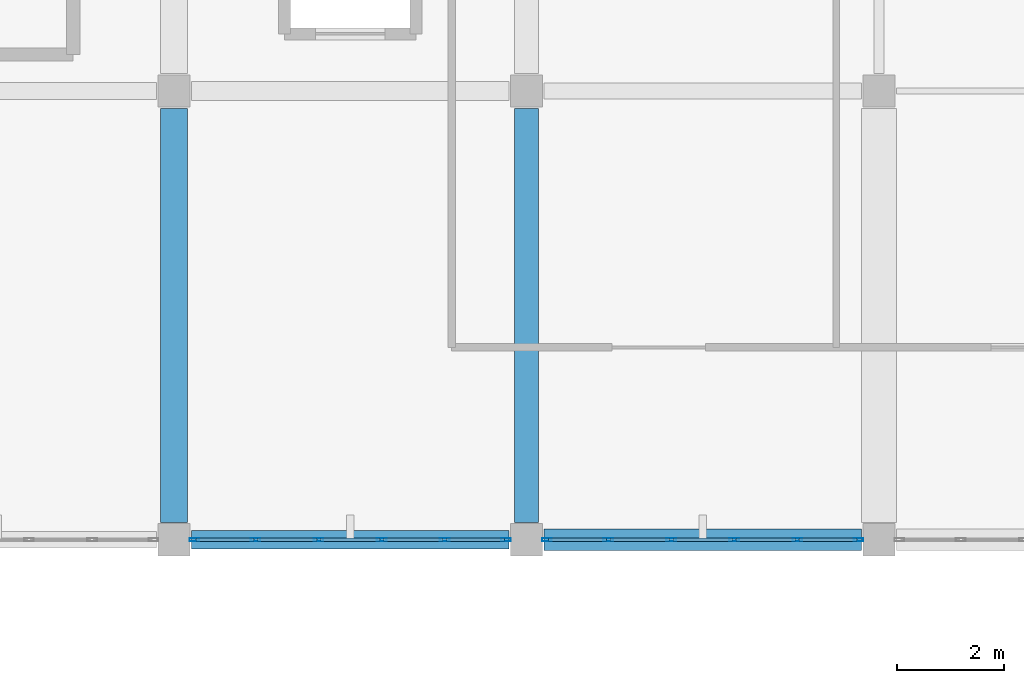
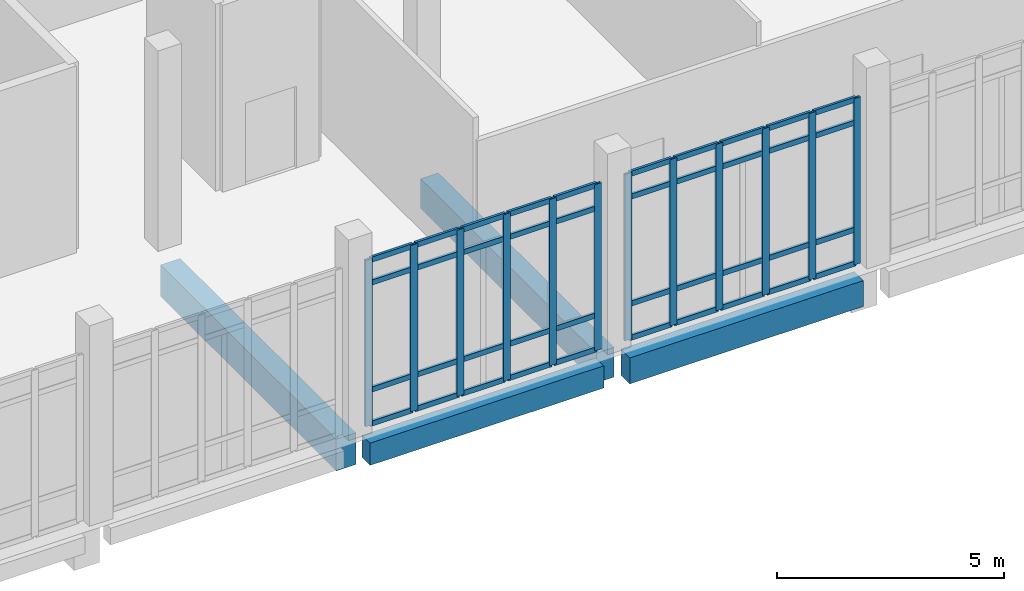
# One storey, part 65 of 110: 52 members, 4 beams, 2 elements without a shape of their own.
"""IFC4 building model written with IfcOpenShell, lengths in metres."""

from ifc_helpers import new_model, si_unit, direction, frame, origin, origin_2d, place, context, subcontext, project, spatial, rectangle, hollow_rectangle, extrude, material, material_profile, profile_set, type_object, element, aggregate, save


model = new_model("IFC4")

# Units and contexts
model_context = context("Model", 3, precision=1e-05, world=origin(), true_north=direction((0.0, 1.0)))
body_context = subcontext(model_context, "Body", "Model", "MODEL_VIEW")
ifc_project = project(units=[si_unit("LENGTHUNIT", "METRE"), si_unit("AREAUNIT", "SQUARE_METRE"), si_unit("VOLUMEUNIT", "CUBIC_METRE"), si_unit("PLANEANGLEUNIT", "RADIAN"), si_unit("MASSUNIT", "GRAM", prefix="KILO")], contexts=[model_context])

# Site, building, storey
site_placement = place(None, origin())
site = spatial("IfcSite", under=ifc_project, at=site_placement, CompositionType="ELEMENT")
building_placement = place(site_placement, origin())
building = spatial("IfcBuilding", under=site, at=building_placement, Name="Kalluvel Institute of Natural Sciences", CompositionType="ELEMENT")
storey_placement = place(building_placement, origin())
storey = spatial("IfcBuildingStorey", under=building, at=storey_placement, Name="L00", CompositionType="ELEMENT", Elevation=0.0)

# Beams
ifc_material_1 = material(Name="Concrete M40", Category="concrete")
ifc_material_profile_1 = material_profile(ifc_material_1, rectangle(XDim=0.449951171875, YDim=0.800048828125, at=origin_2d()), Name="RCB 450x800")
ifc_profile_set_1 = profile_set([ifc_material_profile_1], Name="Concrete M40")
beam_type_1 = type_object("IfcBeamType", Name="BM-RC450x800", PredefinedType="BEAM", material=ifc_profile_set_1)
beam_1_placement = place(storey_placement, frame((168.800048828125, 103.125, -0.760009765625), z_axis=(0.0, 1.0, 0.0), x_axis=(-1.0, 0.0, 0.0)))
element("IfcBeam", 1, at=beam_1_placement, inside=storey, type_object=beam_type_1, Name="L00 girder GIR-L00-NS-X1688-Y1028", PredefinedType="BEAM", context=body_context, shape_type="SweptSolid", body=[
    extrude(rectangle(XDim=0.449951171875, YDim=0.800048828125, at=origin_2d()), origin(), (0.0, 0.0, 1.0), 7.75),
])
ifc_material_2 = material(Name="Concrete M50", Category="concrete")
ifc_material_profile_2 = material_profile(ifc_material_2, rectangle(XDim=0.5, YDim=0.85009765625, at=origin_2d()), Name="RCB 500x850")
ifc_profile_set_2 = profile_set([ifc_material_profile_2], Name="Concrete M50")
beam_type_2 = type_object("IfcBeamType", Name="BM-RC500x850", PredefinedType="BEAM", material=ifc_profile_set_2)
beam_2_placement = place(storey_placement, frame((162.199951171875, 103.125, -0.784912109375), z_axis=(0.0, 1.0, 0.0), x_axis=(-1.0, 0.0, 0.0)))
element("IfcBeam", 2, at=beam_2_placement, inside=storey, type_object=beam_type_2, Name="L00 girder GIR-L00-NS-X1622-Y1028", PredefinedType="BEAM", context=body_context, shape_type="SweptSolid", body=[
    extrude(rectangle(XDim=0.5, YDim=0.85009765625, at=origin_2d()), origin(), (0.0, 0.0, 1.0), 7.75),
])

# Curtain wall, members
ifc_material_3 = material(Name="Aluminium AW-6063 T6", Category="aluminium")
curtain_wall_type = type_object("IfcCurtainWallType", Name="CW-CLN-54", PredefinedType="USERDEFINED", material=ifc_material_3)
curtain_wall_1_placement = place(storey_placement, origin())
curtain_wall_1 = element("IfcCurtainWall", 3, at=curtain_wall_1_placement, inside=storey, type_object=curtain_wall_type, Name="L00 Gothic lancet curtain wall CWA-L00-X1626-Y1028", ObjectType="UNITISED LANCET FACADE", PredefinedType="USERDEFINED")
ifc_material_profile_3 = material_profile(ifc_material_3, hollow_rectangle(XDim=0.06494140625, YDim=0.179931640625, WallThickness=0.00439453125, at=origin_2d()), Name="CWM 65x180")
ifc_profile_set_3 = profile_set([ifc_material_profile_3], Name="Aluminium AW-6063 T6")
member_type_1 = type_object("IfcMemberType", Name="CWM-65x180", PredefinedType="MULLION", material=ifc_profile_set_3)
member_1_placement = place(storey_placement, frame((162.58251953125, 102.800048828125, 0.0), z_axis=(0.0, 0.0, 1.0), x_axis=(0.0, 1.0, 0.0)))
member_1 = element("IfcMember", 4, at=member_1_placement, type_object=member_type_1, Name="CW-09 mullion 1", PredefinedType="MULLION", context=body_context, shape_type="SweptSolid", body=[
    extrude(hollow_rectangle(XDim=0.06494140625, YDim=0.179931640625, WallThickness=0.00439453125, at=origin_2d()), origin(), (0.0, 0.0, 1.0), 4.47998046875),
])
member_2_placement = place(storey_placement, frame((163.72998046875, 102.800048828125, 0.0), z_axis=(0.0, 0.0, 1.0), x_axis=(0.0, 1.0, 0.0)))
member_2 = element("IfcMember", 5, at=member_2_placement, type_object=member_type_1, Name="CW-09 mullion 2", PredefinedType="MULLION", context=body_context, shape_type="SweptSolid", body=[
    extrude(hollow_rectangle(XDim=0.06494140625, YDim=0.179931640625, WallThickness=0.00439453125, at=origin_2d()), origin(), (0.0, 0.0, 1.0), 4.47998046875),
])
member_3_placement = place(storey_placement, frame((164.909912109375, 102.800048828125, 0.0), z_axis=(0.0, 0.0, 1.0), x_axis=(0.0, 1.0, 0.0)))
member_3 = element("IfcMember", 6, at=member_3_placement, type_object=member_type_1, Name="CW-09 mullion 3", PredefinedType="MULLION", context=body_context, shape_type="SweptSolid", body=[
    extrude(hollow_rectangle(XDim=0.06494140625, YDim=0.179931640625, WallThickness=0.00439453125, at=origin_2d()), origin(), (0.0, 0.0, 1.0), 4.47998046875),
])
member_4_placement = place(storey_placement, frame((166.090087890625, 102.800048828125, 0.0), z_axis=(0.0, 0.0, 1.0), x_axis=(0.0, 1.0, 0.0)))
member_4 = element("IfcMember", 7, at=member_4_placement, type_object=member_type_1, Name="CW-09 mullion 4", PredefinedType="MULLION", context=body_context, shape_type="SweptSolid", body=[
    extrude(hollow_rectangle(XDim=0.06494140625, YDim=0.179931640625, WallThickness=0.00439453125, at=origin_2d()), origin(), (0.0, 0.0, 1.0), 4.47998046875),
])
member_5_placement = place(storey_placement, frame((167.27001953125, 102.800048828125, 0.0), z_axis=(0.0, 0.0, 1.0), x_axis=(0.0, 1.0, 0.0)))
member_5 = element("IfcMember", 8, at=member_5_placement, type_object=member_type_1, Name="CW-09 mullion 5", PredefinedType="MULLION", context=body_context, shape_type="SweptSolid", body=[
    extrude(hollow_rectangle(XDim=0.06494140625, YDim=0.179931640625, WallThickness=0.00439453125, at=origin_2d()), origin(), (0.0, 0.0, 1.0), 4.47998046875),
])
member_6_placement = place(storey_placement, frame((168.41748046875, 102.800048828125, 0.0), z_axis=(0.0, 0.0, 1.0), x_axis=(0.0, 1.0, 0.0)))
member_6 = element("IfcMember", 9, at=member_6_placement, type_object=member_type_1, Name="CW-09 mullion 6", PredefinedType="MULLION", context=body_context, shape_type="SweptSolid", body=[
    extrude(hollow_rectangle(XDim=0.06494140625, YDim=0.179931640625, WallThickness=0.00439453125, at=origin_2d()), origin(), (0.0, 0.0, 1.0), 4.47998046875),
])

curtain_wall_2_placement = place(storey_placement, origin())
curtain_wall_2 = element("IfcCurtainWall", 10, at=curtain_wall_2_placement, inside=storey, type_object=curtain_wall_type, Name="L00 Gothic lancet curtain wall CWA-L00-X1692-Y1028", ObjectType="UNITISED LANCET FACADE", PredefinedType="USERDEFINED")
member_7_placement = place(storey_placement, frame((169.1826171875, 102.800048828125, 0.0), z_axis=(0.0, 0.0, 1.0), x_axis=(0.0, 1.0, 0.0)))
member_7 = element("IfcMember", 11, at=member_7_placement, type_object=member_type_1, Name="CW-09 mullion 1", PredefinedType="MULLION", context=body_context, shape_type="SweptSolid", body=[
    extrude(hollow_rectangle(XDim=0.06494140625, YDim=0.179931640625, WallThickness=0.00439453125, at=origin_2d()), origin(), (0.0, 0.0, 1.0), 4.47998046875),
])
member_8_placement = place(storey_placement, frame((170.330078125, 102.800048828125, 0.0), z_axis=(0.0, 0.0, 1.0), x_axis=(0.0, 1.0, 0.0)))
member_8 = element("IfcMember", 12, at=member_8_placement, type_object=member_type_1, Name="CW-09 mullion 2", PredefinedType="MULLION", context=body_context, shape_type="SweptSolid", body=[
    extrude(hollow_rectangle(XDim=0.06494140625, YDim=0.179931640625, WallThickness=0.00439453125, at=origin_2d()), origin(), (0.0, 0.0, 1.0), 4.47998046875),
])
member_9_placement = place(storey_placement, frame((171.510009765625, 102.800048828125, 0.0), z_axis=(0.0, 0.0, 1.0), x_axis=(0.0, 1.0, 0.0)))
member_9 = element("IfcMember", 13, at=member_9_placement, type_object=member_type_1, Name="CW-09 mullion 3", PredefinedType="MULLION", context=body_context, shape_type="SweptSolid", body=[
    extrude(hollow_rectangle(XDim=0.06494140625, YDim=0.179931640625, WallThickness=0.00439453125, at=origin_2d()), origin(), (0.0, 0.0, 1.0), 4.47998046875),
])
member_10_placement = place(storey_placement, frame((172.68994140625, 102.800048828125, 0.0), z_axis=(0.0, 0.0, 1.0), x_axis=(0.0, 1.0, 0.0)))
member_10 = element("IfcMember", 14, at=member_10_placement, type_object=member_type_1, Name="CW-09 mullion 4", PredefinedType="MULLION", context=body_context, shape_type="SweptSolid", body=[
    extrude(hollow_rectangle(XDim=0.06494140625, YDim=0.179931640625, WallThickness=0.00439453125, at=origin_2d()), origin(), (0.0, 0.0, 1.0), 4.47998046875),
])
member_11_placement = place(storey_placement, frame((173.8701171875, 102.800048828125, 0.0), z_axis=(0.0, 0.0, 1.0), x_axis=(0.0, 1.0, 0.0)))
member_11 = element("IfcMember", 15, at=member_11_placement, type_object=member_type_1, Name="CW-09 mullion 5", PredefinedType="MULLION", context=body_context, shape_type="SweptSolid", body=[
    extrude(hollow_rectangle(XDim=0.06494140625, YDim=0.179931640625, WallThickness=0.00439453125, at=origin_2d()), origin(), (0.0, 0.0, 1.0), 4.47998046875),
])
member_12_placement = place(storey_placement, frame((175.017578125, 102.800048828125, 0.0), z_axis=(0.0, 0.0, 1.0), x_axis=(0.0, 1.0, 0.0)))
member_12 = element("IfcMember", 16, at=member_12_placement, type_object=member_type_1, Name="CW-09 mullion 6", PredefinedType="MULLION", context=body_context, shape_type="SweptSolid", body=[
    extrude(hollow_rectangle(XDim=0.06494140625, YDim=0.179931640625, WallThickness=0.00439453125, at=origin_2d()), origin(), (0.0, 0.0, 1.0), 4.47998046875),
])

# Member
ifc_material_profile_4 = material_profile(ifc_material_3, hollow_rectangle(XDim=0.06494140625, YDim=0.139892578125, WallThickness=0.00439453125, at=origin_2d()), Name="CWT 65x140")
ifc_profile_set_4 = profile_set([ifc_material_profile_4], Name="Aluminium AW-6063 T6")
member_type_2 = type_object("IfcMemberType", Name="CWT-65x140", PredefinedType="USERDEFINED", material=ifc_profile_set_4)
member_13_placement = place(storey_placement, frame((162.614990234375, 102.800048828125, 0.032470703125), z_axis=(1.0, 0.0, 0.0), x_axis=(0.0, 1.0, 0.0)))
member_13 = element("IfcMember", 17, at=member_13_placement, type_object=member_type_2, Name="CW-09 transom 1.1", ObjectType="TRANSOM", PredefinedType="USERDEFINED", context=body_context, shape_type="SweptSolid", body=[
    extrude(hollow_rectangle(XDim=0.06494140625, YDim=0.139892578125, WallThickness=0.00439453125, at=origin_2d()), origin(), (0.0, 0.0, 1.0), 1.08251953125),
])

member_14_placement = place(storey_placement, frame((162.614990234375, 102.800048828125, 0.949951171875), z_axis=(1.0, 0.0, 0.0), x_axis=(0.0, 1.0, 0.0)))
member_14 = element("IfcMember", 18, at=member_14_placement, type_object=member_type_2, Name="CW-09 transom 1.2", ObjectType="TRANSOM", PredefinedType="USERDEFINED", context=body_context, shape_type="SweptSolid", body=[
    extrude(hollow_rectangle(XDim=0.06494140625, YDim=0.139892578125, WallThickness=0.00439453125, at=origin_2d()), origin(), (0.0, 0.0, 1.0), 1.08251953125),
])

member_15_placement = place(storey_placement, frame((162.614990234375, 102.800048828125, 3.830078125), z_axis=(1.0, 0.0, 0.0), x_axis=(0.0, 1.0, 0.0)))
member_15 = element("IfcMember", 19, at=member_15_placement, type_object=member_type_2, Name="CW-09 transom 1.3", ObjectType="TRANSOM", PredefinedType="USERDEFINED", context=body_context, shape_type="SweptSolid", body=[
    extrude(hollow_rectangle(XDim=0.06494140625, YDim=0.139892578125, WallThickness=0.00439453125, at=origin_2d()), origin(), (0.0, 0.0, 1.0), 1.08251953125),
])

member_16_placement = place(storey_placement, frame((162.614990234375, 102.800048828125, 4.447509765625), z_axis=(1.0, 0.0, 0.0), x_axis=(0.0, 1.0, 0.0)))
member_16 = element("IfcMember", 20, at=member_16_placement, type_object=member_type_2, Name="CW-09 transom 1.4", ObjectType="TRANSOM", PredefinedType="USERDEFINED", context=body_context, shape_type="SweptSolid", body=[
    extrude(hollow_rectangle(XDim=0.06494140625, YDim=0.139892578125, WallThickness=0.00439453125, at=origin_2d()), origin(), (0.0, 0.0, 1.0), 1.08251953125),
])

member_17_placement = place(storey_placement, frame((163.762451171875, 102.800048828125, 0.032470703125), z_axis=(1.0, 0.0, 0.0), x_axis=(0.0, 1.0, 0.0)))
member_17 = element("IfcMember", 21, at=member_17_placement, type_object=member_type_2, Name="CW-09 transom 2.1", ObjectType="TRANSOM", PredefinedType="USERDEFINED", context=body_context, shape_type="SweptSolid", body=[
    extrude(hollow_rectangle(XDim=0.06494140625, YDim=0.139892578125, WallThickness=0.00439453125, at=origin_2d()), origin(), (0.0, 0.0, 1.0), 1.114990234375),
])

member_18_placement = place(storey_placement, frame((163.762451171875, 102.800048828125, 0.949951171875), z_axis=(1.0, 0.0, 0.0), x_axis=(0.0, 1.0, 0.0)))
member_18 = element("IfcMember", 22, at=member_18_placement, type_object=member_type_2, Name="CW-09 transom 2.2", ObjectType="TRANSOM", PredefinedType="USERDEFINED", context=body_context, shape_type="SweptSolid", body=[
    extrude(hollow_rectangle(XDim=0.06494140625, YDim=0.139892578125, WallThickness=0.00439453125, at=origin_2d()), origin(), (0.0, 0.0, 1.0), 1.114990234375),
])

member_19_placement = place(storey_placement, frame((163.762451171875, 102.800048828125, 3.830078125), z_axis=(1.0, 0.0, 0.0), x_axis=(0.0, 1.0, 0.0)))
member_19 = element("IfcMember", 23, at=member_19_placement, type_object=member_type_2, Name="CW-09 transom 2.3", ObjectType="TRANSOM", PredefinedType="USERDEFINED", context=body_context, shape_type="SweptSolid", body=[
    extrude(hollow_rectangle(XDim=0.06494140625, YDim=0.139892578125, WallThickness=0.00439453125, at=origin_2d()), origin(), (0.0, 0.0, 1.0), 1.114990234375),
])

member_20_placement = place(storey_placement, frame((163.762451171875, 102.800048828125, 4.447509765625), z_axis=(1.0, 0.0, 0.0), x_axis=(0.0, 1.0, 0.0)))
member_20 = element("IfcMember", 24, at=member_20_placement, type_object=member_type_2, Name="CW-09 transom 2.4", ObjectType="TRANSOM", PredefinedType="USERDEFINED", context=body_context, shape_type="SweptSolid", body=[
    extrude(hollow_rectangle(XDim=0.06494140625, YDim=0.139892578125, WallThickness=0.00439453125, at=origin_2d()), origin(), (0.0, 0.0, 1.0), 1.114990234375),
])

member_21_placement = place(storey_placement, frame((164.9423828125, 102.800048828125, 0.032470703125), z_axis=(1.0, 0.0, 0.0), x_axis=(0.0, 1.0, 0.0)))
member_21 = element("IfcMember", 25, at=member_21_placement, type_object=member_type_2, Name="CW-09 transom 3.1", ObjectType="TRANSOM", PredefinedType="USERDEFINED", context=body_context, shape_type="SweptSolid", body=[
    extrude(hollow_rectangle(XDim=0.06494140625, YDim=0.139892578125, WallThickness=0.00439453125, at=origin_2d()), origin(), (0.0, 0.0, 1.0), 1.115234375),
])

member_22_placement = place(storey_placement, frame((164.9423828125, 102.800048828125, 0.949951171875), z_axis=(1.0, 0.0, 0.0), x_axis=(0.0, 1.0, 0.0)))
member_22 = element("IfcMember", 26, at=member_22_placement, type_object=member_type_2, Name="CW-09 transom 3.2", ObjectType="TRANSOM", PredefinedType="USERDEFINED", context=body_context, shape_type="SweptSolid", body=[
    extrude(hollow_rectangle(XDim=0.06494140625, YDim=0.139892578125, WallThickness=0.00439453125, at=origin_2d()), origin(), (0.0, 0.0, 1.0), 1.115234375),
])

member_23_placement = place(storey_placement, frame((164.9423828125, 102.800048828125, 3.830078125), z_axis=(1.0, 0.0, 0.0), x_axis=(0.0, 1.0, 0.0)))
member_23 = element("IfcMember", 27, at=member_23_placement, type_object=member_type_2, Name="CW-09 transom 3.3", ObjectType="TRANSOM", PredefinedType="USERDEFINED", context=body_context, shape_type="SweptSolid", body=[
    extrude(hollow_rectangle(XDim=0.06494140625, YDim=0.139892578125, WallThickness=0.00439453125, at=origin_2d()), origin(), (0.0, 0.0, 1.0), 1.115234375),
])

member_24_placement = place(storey_placement, frame((164.9423828125, 102.800048828125, 4.447509765625), z_axis=(1.0, 0.0, 0.0), x_axis=(0.0, 1.0, 0.0)))
member_24 = element("IfcMember", 28, at=member_24_placement, type_object=member_type_2, Name="CW-09 transom 3.4", ObjectType="TRANSOM", PredefinedType="USERDEFINED", context=body_context, shape_type="SweptSolid", body=[
    extrude(hollow_rectangle(XDim=0.06494140625, YDim=0.139892578125, WallThickness=0.00439453125, at=origin_2d()), origin(), (0.0, 0.0, 1.0), 1.115234375),
])

member_25_placement = place(storey_placement, frame((166.12255859375, 102.800048828125, 0.032470703125), z_axis=(1.0, 0.0, 0.0), x_axis=(0.0, 1.0, 0.0)))
member_25 = element("IfcMember", 29, at=member_25_placement, type_object=member_type_2, Name="CW-09 transom 4.1", ObjectType="TRANSOM", PredefinedType="USERDEFINED", context=body_context, shape_type="SweptSolid", body=[
    extrude(hollow_rectangle(XDim=0.06494140625, YDim=0.139892578125, WallThickness=0.00439453125, at=origin_2d()), origin(), (0.0, 0.0, 1.0), 1.114990234375),
])

member_26_placement = place(storey_placement, frame((166.12255859375, 102.800048828125, 0.949951171875), z_axis=(1.0, 0.0, 0.0), x_axis=(0.0, 1.0, 0.0)))
member_26 = element("IfcMember", 30, at=member_26_placement, type_object=member_type_2, Name="CW-09 transom 4.2", ObjectType="TRANSOM", PredefinedType="USERDEFINED", context=body_context, shape_type="SweptSolid", body=[
    extrude(hollow_rectangle(XDim=0.06494140625, YDim=0.139892578125, WallThickness=0.00439453125, at=origin_2d()), origin(), (0.0, 0.0, 1.0), 1.114990234375),
])

member_27_placement = place(storey_placement, frame((166.12255859375, 102.800048828125, 3.830078125), z_axis=(1.0, 0.0, 0.0), x_axis=(0.0, 1.0, 0.0)))
member_27 = element("IfcMember", 31, at=member_27_placement, type_object=member_type_2, Name="CW-09 transom 4.3", ObjectType="TRANSOM", PredefinedType="USERDEFINED", context=body_context, shape_type="SweptSolid", body=[
    extrude(hollow_rectangle(XDim=0.06494140625, YDim=0.139892578125, WallThickness=0.00439453125, at=origin_2d()), origin(), (0.0, 0.0, 1.0), 1.114990234375),
])

member_28_placement = place(storey_placement, frame((166.12255859375, 102.800048828125, 4.447509765625), z_axis=(1.0, 0.0, 0.0), x_axis=(0.0, 1.0, 0.0)))
member_28 = element("IfcMember", 32, at=member_28_placement, type_object=member_type_2, Name="CW-09 transom 4.4", ObjectType="TRANSOM", PredefinedType="USERDEFINED", context=body_context, shape_type="SweptSolid", body=[
    extrude(hollow_rectangle(XDim=0.06494140625, YDim=0.139892578125, WallThickness=0.00439453125, at=origin_2d()), origin(), (0.0, 0.0, 1.0), 1.114990234375),
])

member_29_placement = place(storey_placement, frame((167.302490234375, 102.800048828125, 0.032470703125), z_axis=(1.0, 0.0, 0.0), x_axis=(0.0, 1.0, 0.0)))
member_29 = element("IfcMember", 33, at=member_29_placement, type_object=member_type_2, Name="CW-09 transom 5.1", ObjectType="TRANSOM", PredefinedType="USERDEFINED", context=body_context, shape_type="SweptSolid", body=[
    extrude(hollow_rectangle(XDim=0.06494140625, YDim=0.139892578125, WallThickness=0.00439453125, at=origin_2d()), origin(), (0.0, 0.0, 1.0), 1.08251953125),
])

member_30_placement = place(storey_placement, frame((167.302490234375, 102.800048828125, 0.949951171875), z_axis=(1.0, 0.0, 0.0), x_axis=(0.0, 1.0, 0.0)))
member_30 = element("IfcMember", 34, at=member_30_placement, type_object=member_type_2, Name="CW-09 transom 5.2", ObjectType="TRANSOM", PredefinedType="USERDEFINED", context=body_context, shape_type="SweptSolid", body=[
    extrude(hollow_rectangle(XDim=0.06494140625, YDim=0.139892578125, WallThickness=0.00439453125, at=origin_2d()), origin(), (0.0, 0.0, 1.0), 1.08251953125),
])

member_31_placement = place(storey_placement, frame((167.302490234375, 102.800048828125, 3.830078125), z_axis=(1.0, 0.0, 0.0), x_axis=(0.0, 1.0, 0.0)))
member_31 = element("IfcMember", 35, at=member_31_placement, type_object=member_type_2, Name="CW-09 transom 5.3", ObjectType="TRANSOM", PredefinedType="USERDEFINED", context=body_context, shape_type="SweptSolid", body=[
    extrude(hollow_rectangle(XDim=0.06494140625, YDim=0.139892578125, WallThickness=0.00439453125, at=origin_2d()), origin(), (0.0, 0.0, 1.0), 1.08251953125),
])

member_32_placement = place(storey_placement, frame((167.302490234375, 102.800048828125, 4.447509765625), z_axis=(1.0, 0.0, 0.0), x_axis=(0.0, 1.0, 0.0)))
member_32 = element("IfcMember", 36, at=member_32_placement, type_object=member_type_2, Name="CW-09 transom 5.4", ObjectType="TRANSOM", PredefinedType="USERDEFINED", context=body_context, shape_type="SweptSolid", body=[
    extrude(hollow_rectangle(XDim=0.06494140625, YDim=0.139892578125, WallThickness=0.00439453125, at=origin_2d()), origin(), (0.0, 0.0, 1.0), 1.08251953125),
])

aggregate(curtain_wall_1, [member_1, member_2, member_3, member_4, member_5, member_6, member_13, member_14, member_15, member_16, member_17, member_18, member_19, member_20, member_21, member_22, member_23, member_24, member_25, member_26, member_27, member_28, member_29, member_30, member_31, member_32])

member_33_placement = place(storey_placement, frame((169.215087890625, 102.800048828125, 0.032470703125), z_axis=(1.0, 0.0, 0.0), x_axis=(0.0, 1.0, 0.0)))
member_33 = element("IfcMember", 37, at=member_33_placement, type_object=member_type_2, Name="CW-09 transom 1.1", ObjectType="TRANSOM", PredefinedType="USERDEFINED", context=body_context, shape_type="SweptSolid", body=[
    extrude(hollow_rectangle(XDim=0.06494140625, YDim=0.139892578125, WallThickness=0.00439453125, at=origin_2d()), origin(), (0.0, 0.0, 1.0), 1.08251953125),
])

member_34_placement = place(storey_placement, frame((169.215087890625, 102.800048828125, 0.949951171875), z_axis=(1.0, 0.0, 0.0), x_axis=(0.0, 1.0, 0.0)))
member_34 = element("IfcMember", 38, at=member_34_placement, type_object=member_type_2, Name="CW-09 transom 1.2", ObjectType="TRANSOM", PredefinedType="USERDEFINED", context=body_context, shape_type="SweptSolid", body=[
    extrude(hollow_rectangle(XDim=0.06494140625, YDim=0.139892578125, WallThickness=0.00439453125, at=origin_2d()), origin(), (0.0, 0.0, 1.0), 1.08251953125),
])

member_35_placement = place(storey_placement, frame((169.215087890625, 102.800048828125, 3.830078125), z_axis=(1.0, 0.0, 0.0), x_axis=(0.0, 1.0, 0.0)))
member_35 = element("IfcMember", 39, at=member_35_placement, type_object=member_type_2, Name="CW-09 transom 1.3", ObjectType="TRANSOM", PredefinedType="USERDEFINED", context=body_context, shape_type="SweptSolid", body=[
    extrude(hollow_rectangle(XDim=0.06494140625, YDim=0.139892578125, WallThickness=0.00439453125, at=origin_2d()), origin(), (0.0, 0.0, 1.0), 1.08251953125),
])

member_36_placement = place(storey_placement, frame((169.215087890625, 102.800048828125, 4.447509765625), z_axis=(1.0, 0.0, 0.0), x_axis=(0.0, 1.0, 0.0)))
member_36 = element("IfcMember", 40, at=member_36_placement, type_object=member_type_2, Name="CW-09 transom 1.4", ObjectType="TRANSOM", PredefinedType="USERDEFINED", context=body_context, shape_type="SweptSolid", body=[
    extrude(hollow_rectangle(XDim=0.06494140625, YDim=0.139892578125, WallThickness=0.00439453125, at=origin_2d()), origin(), (0.0, 0.0, 1.0), 1.08251953125),
])

member_37_placement = place(storey_placement, frame((170.362548828125, 102.800048828125, 0.032470703125), z_axis=(1.0, 0.0, 0.0), x_axis=(0.0, 1.0, 0.0)))
member_37 = element("IfcMember", 41, at=member_37_placement, type_object=member_type_2, Name="CW-09 transom 2.1", ObjectType="TRANSOM", PredefinedType="USERDEFINED", context=body_context, shape_type="SweptSolid", body=[
    extrude(hollow_rectangle(XDim=0.06494140625, YDim=0.139892578125, WallThickness=0.00439453125, at=origin_2d()), origin(), (0.0, 0.0, 1.0), 1.114990234375),
])

member_38_placement = place(storey_placement, frame((170.362548828125, 102.800048828125, 0.949951171875), z_axis=(1.0, 0.0, 0.0), x_axis=(0.0, 1.0, 0.0)))
member_38 = element("IfcMember", 42, at=member_38_placement, type_object=member_type_2, Name="CW-09 transom 2.2", ObjectType="TRANSOM", PredefinedType="USERDEFINED", context=body_context, shape_type="SweptSolid", body=[
    extrude(hollow_rectangle(XDim=0.06494140625, YDim=0.139892578125, WallThickness=0.00439453125, at=origin_2d()), origin(), (0.0, 0.0, 1.0), 1.114990234375),
])

member_39_placement = place(storey_placement, frame((170.362548828125, 102.800048828125, 3.830078125), z_axis=(1.0, 0.0, 0.0), x_axis=(0.0, 1.0, 0.0)))
member_39 = element("IfcMember", 43, at=member_39_placement, type_object=member_type_2, Name="CW-09 transom 2.3", ObjectType="TRANSOM", PredefinedType="USERDEFINED", context=body_context, shape_type="SweptSolid", body=[
    extrude(hollow_rectangle(XDim=0.06494140625, YDim=0.139892578125, WallThickness=0.00439453125, at=origin_2d()), origin(), (0.0, 0.0, 1.0), 1.114990234375),
])

member_40_placement = place(storey_placement, frame((170.362548828125, 102.800048828125, 4.447509765625), z_axis=(1.0, 0.0, 0.0), x_axis=(0.0, 1.0, 0.0)))
member_40 = element("IfcMember", 44, at=member_40_placement, type_object=member_type_2, Name="CW-09 transom 2.4", ObjectType="TRANSOM", PredefinedType="USERDEFINED", context=body_context, shape_type="SweptSolid", body=[
    extrude(hollow_rectangle(XDim=0.06494140625, YDim=0.139892578125, WallThickness=0.00439453125, at=origin_2d()), origin(), (0.0, 0.0, 1.0), 1.114990234375),
])

member_41_placement = place(storey_placement, frame((171.54248046875, 102.800048828125, 0.032470703125), z_axis=(1.0, 0.0, 0.0), x_axis=(0.0, 1.0, 0.0)))
member_41 = element("IfcMember", 45, at=member_41_placement, type_object=member_type_2, Name="CW-09 transom 3.1", ObjectType="TRANSOM", PredefinedType="USERDEFINED", context=body_context, shape_type="SweptSolid", body=[
    extrude(hollow_rectangle(XDim=0.06494140625, YDim=0.139892578125, WallThickness=0.00439453125, at=origin_2d()), origin(), (0.0, 0.0, 1.0), 1.114990234375),
])

member_42_placement = place(storey_placement, frame((171.54248046875, 102.800048828125, 0.949951171875), z_axis=(1.0, 0.0, 0.0), x_axis=(0.0, 1.0, 0.0)))
member_42 = element("IfcMember", 46, at=member_42_placement, type_object=member_type_2, Name="CW-09 transom 3.2", ObjectType="TRANSOM", PredefinedType="USERDEFINED", context=body_context, shape_type="SweptSolid", body=[
    extrude(hollow_rectangle(XDim=0.06494140625, YDim=0.139892578125, WallThickness=0.00439453125, at=origin_2d()), origin(), (0.0, 0.0, 1.0), 1.114990234375),
])

member_43_placement = place(storey_placement, frame((171.54248046875, 102.800048828125, 3.830078125), z_axis=(1.0, 0.0, 0.0), x_axis=(0.0, 1.0, 0.0)))
member_43 = element("IfcMember", 47, at=member_43_placement, type_object=member_type_2, Name="CW-09 transom 3.3", ObjectType="TRANSOM", PredefinedType="USERDEFINED", context=body_context, shape_type="SweptSolid", body=[
    extrude(hollow_rectangle(XDim=0.06494140625, YDim=0.139892578125, WallThickness=0.00439453125, at=origin_2d()), origin(), (0.0, 0.0, 1.0), 1.114990234375),
])

member_44_placement = place(storey_placement, frame((171.54248046875, 102.800048828125, 4.447509765625), z_axis=(1.0, 0.0, 0.0), x_axis=(0.0, 1.0, 0.0)))
member_44 = element("IfcMember", 48, at=member_44_placement, type_object=member_type_2, Name="CW-09 transom 3.4", ObjectType="TRANSOM", PredefinedType="USERDEFINED", context=body_context, shape_type="SweptSolid", body=[
    extrude(hollow_rectangle(XDim=0.06494140625, YDim=0.139892578125, WallThickness=0.00439453125, at=origin_2d()), origin(), (0.0, 0.0, 1.0), 1.114990234375),
])

member_45_placement = place(storey_placement, frame((172.722412109375, 102.800048828125, 0.032470703125), z_axis=(1.0, 0.0, 0.0), x_axis=(0.0, 1.0, 0.0)))
member_45 = element("IfcMember", 49, at=member_45_placement, type_object=member_type_2, Name="CW-09 transom 4.1", ObjectType="TRANSOM", PredefinedType="USERDEFINED", context=body_context, shape_type="SweptSolid", body=[
    extrude(hollow_rectangle(XDim=0.06494140625, YDim=0.139892578125, WallThickness=0.00439453125, at=origin_2d()), origin(), (0.0, 0.0, 1.0), 1.114990234375),
])

member_46_placement = place(storey_placement, frame((172.722412109375, 102.800048828125, 0.949951171875), z_axis=(1.0, 0.0, 0.0), x_axis=(0.0, 1.0, 0.0)))
member_46 = element("IfcMember", 50, at=member_46_placement, type_object=member_type_2, Name="CW-09 transom 4.2", ObjectType="TRANSOM", PredefinedType="USERDEFINED", context=body_context, shape_type="SweptSolid", body=[
    extrude(hollow_rectangle(XDim=0.06494140625, YDim=0.139892578125, WallThickness=0.00439453125, at=origin_2d()), origin(), (0.0, 0.0, 1.0), 1.114990234375),
])

member_47_placement = place(storey_placement, frame((172.722412109375, 102.800048828125, 3.830078125), z_axis=(1.0, 0.0, 0.0), x_axis=(0.0, 1.0, 0.0)))
member_47 = element("IfcMember", 51, at=member_47_placement, type_object=member_type_2, Name="CW-09 transom 4.3", ObjectType="TRANSOM", PredefinedType="USERDEFINED", context=body_context, shape_type="SweptSolid", body=[
    extrude(hollow_rectangle(XDim=0.06494140625, YDim=0.139892578125, WallThickness=0.00439453125, at=origin_2d()), origin(), (0.0, 0.0, 1.0), 1.114990234375),
])

member_48_placement = place(storey_placement, frame((172.722412109375, 102.800048828125, 4.447509765625), z_axis=(1.0, 0.0, 0.0), x_axis=(0.0, 1.0, 0.0)))
member_48 = element("IfcMember", 52, at=member_48_placement, type_object=member_type_2, Name="CW-09 transom 4.4", ObjectType="TRANSOM", PredefinedType="USERDEFINED", context=body_context, shape_type="SweptSolid", body=[
    extrude(hollow_rectangle(XDim=0.06494140625, YDim=0.139892578125, WallThickness=0.00439453125, at=origin_2d()), origin(), (0.0, 0.0, 1.0), 1.114990234375),
])

member_49_placement = place(storey_placement, frame((173.902587890625, 102.800048828125, 0.032470703125), z_axis=(1.0, 0.0, 0.0), x_axis=(0.0, 1.0, 0.0)))
member_49 = element("IfcMember", 53, at=member_49_placement, type_object=member_type_2, Name="CW-09 transom 5.1", ObjectType="TRANSOM", PredefinedType="USERDEFINED", context=body_context, shape_type="SweptSolid", body=[
    extrude(hollow_rectangle(XDim=0.06494140625, YDim=0.139892578125, WallThickness=0.00439453125, at=origin_2d()), origin(), (0.0, 0.0, 1.0), 1.08251953125),
])

member_50_placement = place(storey_placement, frame((173.902587890625, 102.800048828125, 0.949951171875), z_axis=(1.0, 0.0, 0.0), x_axis=(0.0, 1.0, 0.0)))
member_50 = element("IfcMember", 54, at=member_50_placement, type_object=member_type_2, Name="CW-09 transom 5.2", ObjectType="TRANSOM", PredefinedType="USERDEFINED", context=body_context, shape_type="SweptSolid", body=[
    extrude(hollow_rectangle(XDim=0.06494140625, YDim=0.139892578125, WallThickness=0.00439453125, at=origin_2d()), origin(), (0.0, 0.0, 1.0), 1.08251953125),
])

member_51_placement = place(storey_placement, frame((173.902587890625, 102.800048828125, 3.830078125), z_axis=(1.0, 0.0, 0.0), x_axis=(0.0, 1.0, 0.0)))
member_51 = element("IfcMember", 55, at=member_51_placement, type_object=member_type_2, Name="CW-09 transom 5.3", ObjectType="TRANSOM", PredefinedType="USERDEFINED", context=body_context, shape_type="SweptSolid", body=[
    extrude(hollow_rectangle(XDim=0.06494140625, YDim=0.139892578125, WallThickness=0.00439453125, at=origin_2d()), origin(), (0.0, 0.0, 1.0), 1.08251953125),
])

member_52_placement = place(storey_placement, frame((173.902587890625, 102.800048828125, 4.447509765625), z_axis=(1.0, 0.0, 0.0), x_axis=(0.0, 1.0, 0.0)))
member_52 = element("IfcMember", 56, at=member_52_placement, type_object=member_type_2, Name="CW-09 transom 5.4", ObjectType="TRANSOM", PredefinedType="USERDEFINED", context=body_context, shape_type="SweptSolid", body=[
    extrude(hollow_rectangle(XDim=0.06494140625, YDim=0.139892578125, WallThickness=0.00439453125, at=origin_2d()), origin(), (0.0, 0.0, 1.0), 1.08251953125),
])

aggregate(curtain_wall_2, [member_7, member_8, member_9, member_10, member_11, member_12, member_33, member_34, member_35, member_36, member_37, member_38, member_39, member_40, member_41, member_42, member_43, member_44, member_45, member_46, member_47, member_48, member_49, member_50, member_51, member_52])

# Beams
ifc_material_profile_5 = material_profile(ifc_material_1, rectangle(XDim=0.35009765625, YDim=0.60009765625, at=origin_2d()), Name="RCB 350x600")
ifc_profile_set_5 = profile_set([ifc_material_profile_5], Name="Concrete M40")
beam_type_3 = type_object("IfcBeamType", Name="SP-RC350x600", PredefinedType="SPANDREL", material=ifc_profile_set_5)
beam_3_placement = place(storey_placement, frame((162.52490234375, 102.800048828125, -0.659912109375), z_axis=(1.0, 0.0, 0.0), x_axis=(0.0, 1.0, 0.0)))
element("IfcBeam", 57, at=beam_3_placement, inside=storey, type_object=beam_type_3, Name="L00 girder GIR-L00-EW-X1622-Y1028", PredefinedType="SPANDREL", context=body_context, shape_type="SweptSolid", body=[
    extrude(rectangle(XDim=0.35009765625, YDim=0.60009765625, at=origin_2d()), origin(), (0.0, 0.0, 1.0), 5.9501953125),
])
ifc_material_profile_6 = material_profile(ifc_material_1, rectangle(XDim=0.39990234375, YDim=0.699951171875, at=origin_2d()), Name="RCB 400x700")
ifc_profile_set_6 = profile_set([ifc_material_profile_6], Name="Concrete M40")
beam_type_4 = type_object("IfcBeamType", Name="SP-RC400x700", PredefinedType="SPANDREL", material=ifc_profile_set_6)
beam_4_placement = place(storey_placement, frame((169.125, 102.800048828125, -0.7099609375), z_axis=(1.0, 0.0, 0.0), x_axis=(0.0, 1.0, 0.0)))
element("IfcBeam", 58, at=beam_4_placement, inside=storey, type_object=beam_type_4, Name="L00 girder GIR-L00-EW-X1688-Y1028", PredefinedType="SPANDREL", context=body_context, shape_type="SweptSolid", body=[
    extrude(rectangle(XDim=0.39990234375, YDim=0.699951171875, at=origin_2d()), origin(), (0.0, 0.0, 1.0), 5.949951171875),
])

save(model, "model.ifc")
